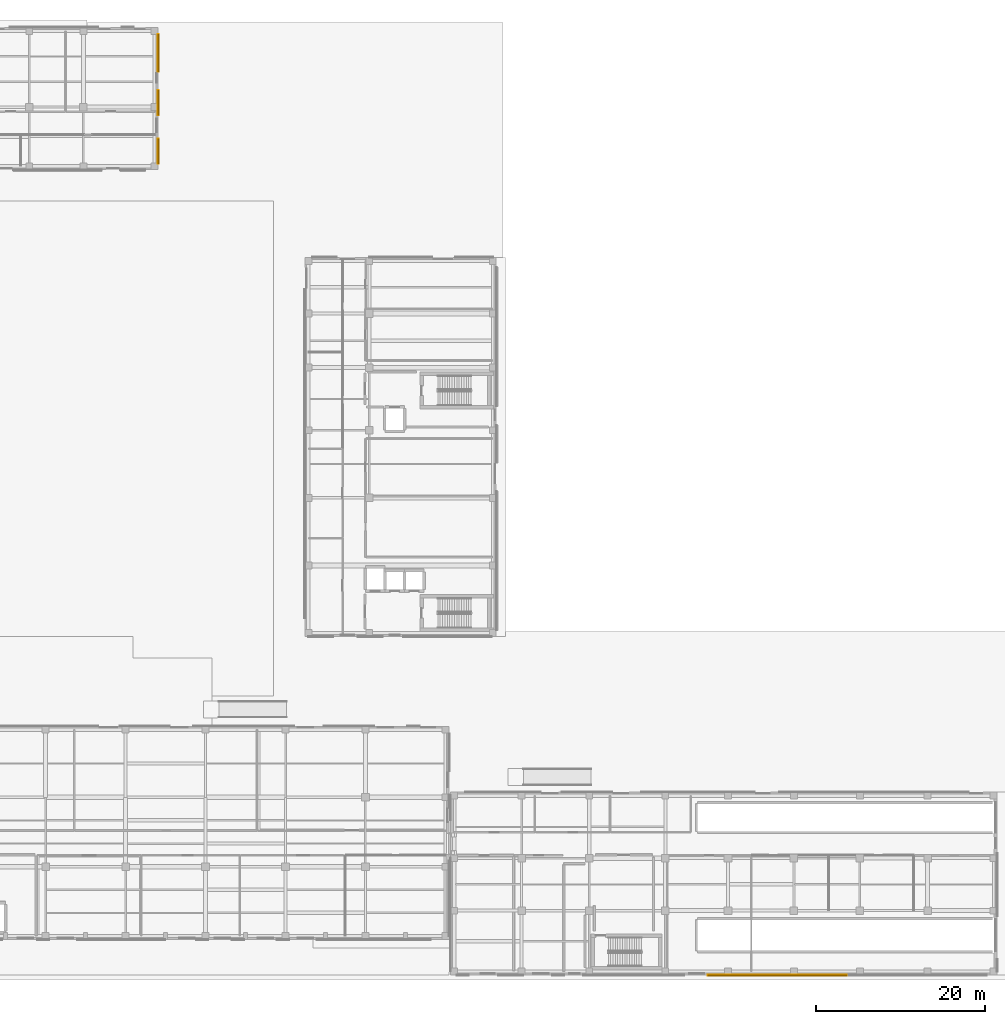
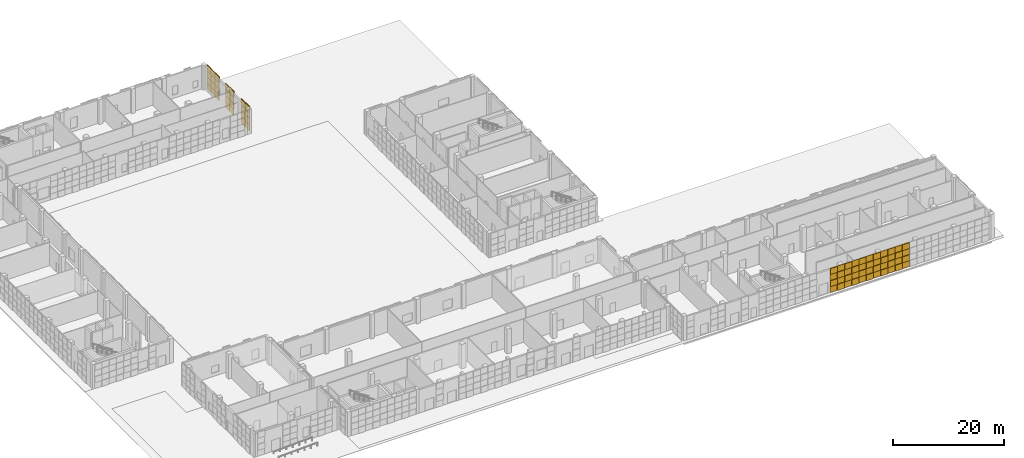
# One storey, part 38 of 40: 72 coverings.
"""IFC4 building model written with IfcOpenShell, lengths in metres."""

from ifc_helpers import new_model, si_unit, direction, frame, origin, origin_2d, place, context, subcontext, project, spatial, rectangle, extrude, material, layer, layer_set, type_object, element, save


model = new_model("IFC4")

# Units and contexts
model_context = context("Model", 3, precision=1e-05, world=origin(), true_north=direction((0.0, 1.0)))
body_context = subcontext(model_context, "Body", "Model", "MODEL_VIEW")
ifc_project = project(units=[si_unit("LENGTHUNIT", "METRE"), si_unit("AREAUNIT", "SQUARE_METRE"), si_unit("VOLUMEUNIT", "CUBIC_METRE"), si_unit("PLANEANGLEUNIT", "RADIAN"), si_unit("MASSUNIT", "GRAM", prefix="KILO")], contexts=[model_context])

# Site, building, storey
site_placement = place(None, origin())
site = spatial("IfcSite", under=ifc_project, at=site_placement, CompositionType="ELEMENT")
building_placement = place(site_placement, origin())
building = spatial("IfcBuilding", under=site, at=building_placement, Name="Qalavern Law Courts", CompositionType="ELEMENT")
storey_placement = place(building_placement, origin())
storey = spatial("IfcBuildingStorey", under=building, at=storey_placement, Name="L00", CompositionType="ELEMENT", Elevation=0.0)

# Coverings
ifc_material = material(Name="Precast concrete C40/50", Category="concrete")
ifc_layer_1 = layer(ifc_material, 0.06005859375)
ifc_layer_set_1 = layer_set([ifc_layer_1], Name="Precast concrete C40/50")
covering_type_1 = type_object("IfcCoveringType", Name="ENV-CLD-1", PredefinedType="CLADDING", material=ifc_layer_set_1)
for number, where, z_axis, x_axis, name in (
    (1, (66.8798828125, 97.635009765625, 1.385009765625), (0.0, 0.0, 1.0), (0.0, 1.0, 0.0), "Cast drop-relief street-base tile 1194"),
    (2, (66.8798828125, 99.135009765625, 0.050048828125), (0.0, 0.0, 1.0), (0.0, 1.0, 0.0), "Cast drop-relief street-base tile 1197"),
):
    element("IfcCovering", number, at=place(storey_placement, frame(where, z_axis=z_axis, x_axis=x_axis)), inside=storey, type_object=covering_type_1, Name=name, PredefinedType="CLADDING", context=body_context, shape_type="SweptSolid", body=[
        extrude(rectangle(XDim=1.449951171875, YDim=0.16796875, at=origin_2d()), origin(), (0.0, 0.0, 1.0), 1.294921875),
    ])
covering_1_placement = place(storey_placement, frame((66.837890625, 99.135009765625, 4.054931640625), z_axis=(0.0, 0.0, 1.0), x_axis=(0.0, 1.0, 0.0)))
element("IfcCovering", 3, at=covering_1_placement, inside=storey, type_object=covering_type_1, Name="Cast drop-relief street-base tile 1200", PredefinedType="CLADDING", context=body_context, shape_type="SweptSolid", body=[
    extrude(rectangle(XDim=1.449951171875, YDim=0.083984375, at=origin_2d()), origin(), (0.0, 0.0, 1.0), 1.294921875),
])
for number, where, z_axis, x_axis, name in (
    (4, (66.8798828125, 103.35009765625, 1.385009765625), (0.0, 0.0, 1.0), (0.0, 1.0, 0.0), "Cast drop-relief street-base tile 1202"),
    (5, (66.8798828125, 104.85009765625, 0.050048828125), (0.0, 0.0, 1.0), (0.0, 1.0, 0.0), "Cast drop-relief street-base tile 1205"),
):
    element("IfcCovering", number, at=place(storey_placement, frame(where, z_axis=z_axis, x_axis=x_axis)), inside=storey, type_object=covering_type_1, Name=name, PredefinedType="CLADDING", context=body_context, shape_type="SweptSolid", body=[
        extrude(rectangle(XDim=1.449951171875, YDim=0.16796875, at=origin_2d()), origin(), (0.0, 0.0, 1.0), 1.294921875),
    ])
covering_2_placement = place(storey_placement, frame((66.837890625, 104.85009765625, 4.054931640625), z_axis=(0.0, 0.0, 1.0), x_axis=(0.0, 1.0, 0.0)))
element("IfcCovering", 6, at=covering_2_placement, inside=storey, type_object=covering_type_1, Name="Cast drop-relief street-base tile 1208", PredefinedType="CLADDING", context=body_context, shape_type="SweptSolid", body=[
    extrude(rectangle(XDim=1.449951171875, YDim=0.083984375, at=origin_2d()), origin(), (0.0, 0.0, 1.0), 1.294921875),
])
for number, where, z_axis, x_axis, name in (
    (7, (66.8798828125, 108.510009765625, 1.385009765625), (0.0, 0.0, 1.0), (0.0, 1.0, 0.0), "Cast drop-relief street-base tile 1210"),
    (8, (66.8798828125, 110.010009765625, 0.050048828125), (0.0, 0.0, 1.0), (0.0, 1.0, 0.0), "Cast drop-relief street-base tile 1213"),
):
    element("IfcCovering", number, at=place(storey_placement, frame(where, z_axis=z_axis, x_axis=x_axis)), inside=storey, type_object=covering_type_1, Name=name, PredefinedType="CLADDING", context=body_context, shape_type="SweptSolid", body=[
        extrude(rectangle(XDim=1.449951171875, YDim=0.16796875, at=origin_2d()), origin(), (0.0, 0.0, 1.0), 1.294921875),
    ])
for number, where, z_axis, x_axis, name in (
    (9, (66.837890625, 110.010009765625, 4.054931640625), (0.0, 0.0, 1.0), (0.0, 1.0, 0.0), "Cast drop-relief street-base tile 1216"),
    (10, (66.837890625, 111.510009765625, 2.719970703125), (0.0, 0.0, 1.0), (0.0, 1.0, 0.0), "Cast drop-relief street-base tile 1219"),
):
    element("IfcCovering", number, at=place(storey_placement, frame(where, z_axis=z_axis, x_axis=x_axis)), inside=storey, type_object=covering_type_1, Name=name, PredefinedType="CLADDING", context=body_context, shape_type="SweptSolid", body=[
        extrude(rectangle(XDim=1.449951171875, YDim=0.083984375, at=origin_2d()), origin(), (0.0, 0.0, 1.0), 1.294921875),
    ])
for number, where, z_axis, x_axis, name in (
    (11, (132.550048828125, 0.919921875, 1.385009765625), (0.0, 0.0, 1.0), (1.0, 0.0, 0.0), "Cast drop-relief street-base tile 1422"),
    (12, (134.050048828125, 0.919921875, 0.050048828125), (0.0, 0.0, 1.0), (1.0, 0.0, 0.0), "Cast drop-relief street-base tile 1425"),
):
    element("IfcCovering", number, at=place(storey_placement, frame(where, z_axis=z_axis, x_axis=x_axis)), inside=storey, type_object=covering_type_1, Name=name, PredefinedType="CLADDING", context=body_context, shape_type="SweptSolid", body=[
        extrude(rectangle(XDim=1.449951171875, YDim=0.16796875, at=origin_2d()), origin(), (0.0, 0.0, 1.0), 1.294921875),
    ])
for number, where, z_axis, x_axis, name in (
    (13, (134.050048828125, 0.9619140625, 4.054931640625), (0.0, 0.0, 1.0), (1.0, 0.0, 0.0), "Cast drop-relief street-base tile 1428"),
    (14, (135.550048828125, 0.9619140625, 2.719970703125), (0.0, 0.0, 1.0), (1.0, 0.0, 0.0), "Cast drop-relief street-base tile 1431"),
    (15, (137.050048828125, 0.9619140625, 1.385009765625), (0.0, 0.0, 1.0), (1.0, 0.0, 0.0), "Cast drop-relief street-base tile 1434"),
    (16, (138.550048828125, 0.9619140625, 0.050048828125), (0.0, 0.0, 1.0), (1.0, 0.0, 0.0), "Cast drop-relief street-base tile 1437"),
):
    element("IfcCovering", number, at=place(storey_placement, frame(where, z_axis=z_axis, x_axis=x_axis)), inside=storey, type_object=covering_type_1, Name=name, PredefinedType="CLADDING", context=body_context, shape_type="SweptSolid", body=[
        extrude(rectangle(XDim=1.449951171875, YDim=0.083984375, at=origin_2d()), origin(), (0.0, 0.0, 1.0), 1.294921875),
    ])
for number, where, z_axis, x_axis, name in (
    (17, (138.550048828125, 0.919921875, 4.054931640625), (0.0, 0.0, 1.0), (1.0, 0.0, 0.0), "Cast drop-relief street-base tile 1440"),
    (18, (140.050048828125, 0.919921875, 2.719970703125), (0.0, 0.0, 1.0), (1.0, 0.0, 0.0), "Cast drop-relief street-base tile 1443"),
    (19, (141.550048828125, 0.919921875, 1.385009765625), (0.0, 0.0, 1.0), (1.0, 0.0, 0.0), "Cast drop-relief street-base tile 1446"),
    (20, (143.050048828125, 0.919921875, 0.050048828125), (0.0, 0.0, 1.0), (1.0, 0.0, 0.0), "Cast drop-relief street-base tile 1449"),
):
    element("IfcCovering", number, at=place(storey_placement, frame(where, z_axis=z_axis, x_axis=x_axis)), inside=storey, type_object=covering_type_1, Name=name, PredefinedType="CLADDING", context=body_context, shape_type="SweptSolid", body=[
        extrude(rectangle(XDim=1.449951171875, YDim=0.16796875, at=origin_2d()), origin(), (0.0, 0.0, 1.0), 1.294921875),
    ])
for number, where, z_axis, x_axis, name in (
    (21, (143.050048828125, 0.9619140625, 4.054931640625), (0.0, 0.0, 1.0), (1.0, 0.0, 0.0), "Cast drop-relief street-base tile 1452"),
    (22, (144.550048828125, 0.9619140625, 2.719970703125), (0.0, 0.0, 1.0), (1.0, 0.0, 0.0), "Cast drop-relief street-base tile 1455"),
    (23, (146.050048828125, 0.9619140625, 1.385009765625), (0.0, 0.0, 1.0), (1.0, 0.0, 0.0), "Cast drop-relief street-base tile 1458"),
    (24, (147.550048828125, 0.9619140625, 0.050048828125), (0.0, 0.0, 1.0), (1.0, 0.0, 0.0), "Cast drop-relief street-base tile 1461"),
):
    element("IfcCovering", number, at=place(storey_placement, frame(where, z_axis=z_axis, x_axis=x_axis)), inside=storey, type_object=covering_type_1, Name=name, PredefinedType="CLADDING", context=body_context, shape_type="SweptSolid", body=[
        extrude(rectangle(XDim=1.449951171875, YDim=0.083984375, at=origin_2d()), origin(), (0.0, 0.0, 1.0), 1.294921875),
    ])
covering_3_placement = place(storey_placement, frame((147.550048828125, 0.919921875, 4.054931640625), z_axis=(0.0, 0.0, 1.0), x_axis=(1.0, 0.0, 0.0)))
element("IfcCovering", 25, at=covering_3_placement, inside=storey, type_object=covering_type_1, Name="Cast drop-relief street-base tile 1464", PredefinedType="CLADDING", context=body_context, shape_type="SweptSolid", body=[
    extrude(rectangle(XDim=1.449951171875, YDim=0.16796875, at=origin_2d()), origin(), (0.0, 0.0, 1.0), 1.294921875),
])
ifc_layer_2 = layer(ifc_material, 0.072021484375)
ifc_layer_set_2 = layer_set([ifc_layer_2], Name="Precast concrete C40/50")
covering_type_2 = type_object("IfcCoveringType", Name="ENV-CLD-2", PredefinedType="CLADDING", material=ifc_layer_set_2)
for number, where, z_axis, x_axis, name in (
    (26, (66.837890625, 97.635009765625, 2.719970703125), (0.0, 0.0, 1.0), (0.0, 1.0, 0.0), "Cast drop-relief street-base tile 1195"),
    (27, (66.837890625, 99.135009765625, 1.385009765625), (0.0, 0.0, 1.0), (0.0, 1.0, 0.0), "Cast drop-relief street-base tile 1198"),
    (28, (66.837890625, 103.35009765625, 2.719970703125), (0.0, 0.0, 1.0), (0.0, 1.0, 0.0), "Cast drop-relief street-base tile 1203"),
    (29, (66.837890625, 104.85009765625, 1.385009765625), (0.0, 0.0, 1.0), (0.0, 1.0, 0.0), "Cast drop-relief street-base tile 1206"),
    (30, (66.837890625, 108.510009765625, 2.719970703125), (0.0, 0.0, 1.0), (0.0, 1.0, 0.0), "Cast drop-relief street-base tile 1211"),
    (31, (66.837890625, 110.010009765625, 1.385009765625), (0.0, 0.0, 1.0), (0.0, 1.0, 0.0), "Cast drop-relief street-base tile 1214"),
    (32, (66.837890625, 111.510009765625, 0.050048828125), (0.0, 0.0, 1.0), (0.0, 1.0, 0.0), "Cast drop-relief street-base tile 1217"),
):
    element("IfcCovering", number, at=place(storey_placement, frame(where, z_axis=z_axis, x_axis=x_axis)), inside=storey, type_object=covering_type_2, Name=name, PredefinedType="CLADDING", context=body_context, shape_type="SweptSolid", body=[
        extrude(rectangle(XDim=1.449951171875, YDim=0.083984375, at=origin_2d()), origin(), (0.0, 0.0, 1.0), 1.294921875),
    ])
covering_4_placement = place(storey_placement, frame((66.8798828125, 111.510009765625, 4.054931640625), z_axis=(0.0, 0.0, 1.0), x_axis=(0.0, 1.0, 0.0)))
element("IfcCovering", 33, at=covering_4_placement, inside=storey, type_object=covering_type_2, Name="Cast drop-relief street-base tile 1220", PredefinedType="CLADDING", context=body_context, shape_type="SweptSolid", body=[
    extrude(rectangle(XDim=1.449951171875, YDim=0.16796875, at=origin_2d()), origin(), (0.0, 0.0, 1.0), 1.294921875),
])
for number, where, z_axis, x_axis, name in (
    (34, (132.550048828125, 0.9619140625, 2.719970703125), (0.0, 0.0, 1.0), (1.0, 0.0, 0.0), "Cast drop-relief street-base tile 1423"),
    (35, (134.050048828125, 0.9619140625, 1.385009765625), (0.0, 0.0, 1.0), (1.0, 0.0, 0.0), "Cast drop-relief street-base tile 1426"),
    (36, (135.550048828125, 0.9619140625, 0.050048828125), (0.0, 0.0, 1.0), (1.0, 0.0, 0.0), "Cast drop-relief street-base tile 1429"),
):
    element("IfcCovering", number, at=place(storey_placement, frame(where, z_axis=z_axis, x_axis=x_axis)), inside=storey, type_object=covering_type_2, Name=name, PredefinedType="CLADDING", context=body_context, shape_type="SweptSolid", body=[
        extrude(rectangle(XDim=1.449951171875, YDim=0.083984375, at=origin_2d()), origin(), (0.0, 0.0, 1.0), 1.294921875),
    ])
for number, where, z_axis, x_axis, name in (
    (37, (135.550048828125, 0.919921875, 4.054931640625), (0.0, 0.0, 1.0), (1.0, 0.0, 0.0), "Cast drop-relief street-base tile 1432"),
    (38, (137.050048828125, 0.919921875, 2.719970703125), (0.0, 0.0, 1.0), (1.0, 0.0, 0.0), "Cast drop-relief street-base tile 1435"),
    (39, (138.550048828125, 0.919921875, 1.385009765625), (0.0, 0.0, 1.0), (1.0, 0.0, 0.0), "Cast drop-relief street-base tile 1438"),
    (40, (140.050048828125, 0.919921875, 0.050048828125), (0.0, 0.0, 1.0), (1.0, 0.0, 0.0), "Cast drop-relief street-base tile 1441"),
):
    element("IfcCovering", number, at=place(storey_placement, frame(where, z_axis=z_axis, x_axis=x_axis)), inside=storey, type_object=covering_type_2, Name=name, PredefinedType="CLADDING", context=body_context, shape_type="SweptSolid", body=[
        extrude(rectangle(XDim=1.449951171875, YDim=0.16796875, at=origin_2d()), origin(), (0.0, 0.0, 1.0), 1.294921875),
    ])
for number, where, z_axis, x_axis, name in (
    (41, (140.050048828125, 0.9619140625, 4.054931640625), (0.0, 0.0, 1.0), (1.0, 0.0, 0.0), "Cast drop-relief street-base tile 1444"),
    (42, (141.550048828125, 0.9619140625, 2.719970703125), (0.0, 0.0, 1.0), (1.0, 0.0, 0.0), "Cast drop-relief street-base tile 1447"),
    (43, (143.050048828125, 0.9619140625, 1.385009765625), (0.0, 0.0, 1.0), (1.0, 0.0, 0.0), "Cast drop-relief street-base tile 1450"),
    (44, (144.550048828125, 0.9619140625, 0.050048828125), (0.0, 0.0, 1.0), (1.0, 0.0, 0.0), "Cast drop-relief street-base tile 1453"),
):
    element("IfcCovering", number, at=place(storey_placement, frame(where, z_axis=z_axis, x_axis=x_axis)), inside=storey, type_object=covering_type_2, Name=name, PredefinedType="CLADDING", context=body_context, shape_type="SweptSolid", body=[
        extrude(rectangle(XDim=1.449951171875, YDim=0.083984375, at=origin_2d()), origin(), (0.0, 0.0, 1.0), 1.294921875),
    ])
for number, where, z_axis, x_axis, name in (
    (45, (144.550048828125, 0.919921875, 4.054931640625), (0.0, 0.0, 1.0), (1.0, 0.0, 0.0), "Cast drop-relief street-base tile 1456"),
    (46, (146.050048828125, 0.919921875, 2.719970703125), (0.0, 0.0, 1.0), (1.0, 0.0, 0.0), "Cast drop-relief street-base tile 1459"),
    (47, (147.550048828125, 0.919921875, 1.385009765625), (0.0, 0.0, 1.0), (1.0, 0.0, 0.0), "Cast drop-relief street-base tile 1462"),
):
    element("IfcCovering", number, at=place(storey_placement, frame(where, z_axis=z_axis, x_axis=x_axis)), inside=storey, type_object=covering_type_2, Name=name, PredefinedType="CLADDING", context=body_context, shape_type="SweptSolid", body=[
        extrude(rectangle(XDim=1.449951171875, YDim=0.16796875, at=origin_2d()), origin(), (0.0, 0.0, 1.0), 1.294921875),
    ])
ifc_layer_3 = layer(ifc_material, 0.083984375)
ifc_layer_set_3 = layer_set([ifc_layer_3], Name="Precast concrete C40/50")
covering_type_3 = type_object("IfcCoveringType", Name="ENV-CLD-3", PredefinedType="CLADDING", material=ifc_layer_set_3)
covering_5_placement = place(storey_placement, frame((66.837890625, 97.635009765625, 0.050048828125), z_axis=(0.0, 0.0, 1.0), x_axis=(0.0, 1.0, 0.0)))
element("IfcCovering", 48, at=covering_5_placement, inside=storey, type_object=covering_type_3, Name="Cast drop-relief street-base tile 1193", PredefinedType="CLADDING", context=body_context, shape_type="SweptSolid", body=[
    extrude(rectangle(XDim=1.449951171875, YDim=0.083984375, at=origin_2d()), origin(), (0.0, 0.0, 1.0), 1.294921875),
])
for number, where, z_axis, x_axis, name in (
    (49, (66.8798828125, 97.635009765625, 4.054931640625), (0.0, 0.0, 1.0), (0.0, 1.0, 0.0), "Cast drop-relief street-base tile 1196"),
    (50, (66.8798828125, 99.135009765625, 2.719970703125), (0.0, 0.0, 1.0), (0.0, 1.0, 0.0), "Cast drop-relief street-base tile 1199"),
):
    element("IfcCovering", number, at=place(storey_placement, frame(where, z_axis=z_axis, x_axis=x_axis)), inside=storey, type_object=covering_type_3, Name=name, PredefinedType="CLADDING", context=body_context, shape_type="SweptSolid", body=[
        extrude(rectangle(XDim=1.449951171875, YDim=0.16796875, at=origin_2d()), origin(), (0.0, 0.0, 1.0), 1.294921875),
    ])
covering_6_placement = place(storey_placement, frame((66.837890625, 103.35009765625, 0.050048828125), z_axis=(0.0, 0.0, 1.0), x_axis=(0.0, 1.0, 0.0)))
element("IfcCovering", 51, at=covering_6_placement, inside=storey, type_object=covering_type_3, Name="Cast drop-relief street-base tile 1201", PredefinedType="CLADDING", context=body_context, shape_type="SweptSolid", body=[
    extrude(rectangle(XDim=1.449951171875, YDim=0.083984375, at=origin_2d()), origin(), (0.0, 0.0, 1.0), 1.294921875),
])
for number, where, z_axis, x_axis, name in (
    (52, (66.8798828125, 103.35009765625, 4.054931640625), (0.0, 0.0, 1.0), (0.0, 1.0, 0.0), "Cast drop-relief street-base tile 1204"),
    (53, (66.8798828125, 104.85009765625, 2.719970703125), (0.0, 0.0, 1.0), (0.0, 1.0, 0.0), "Cast drop-relief street-base tile 1207"),
):
    element("IfcCovering", number, at=place(storey_placement, frame(where, z_axis=z_axis, x_axis=x_axis)), inside=storey, type_object=covering_type_3, Name=name, PredefinedType="CLADDING", context=body_context, shape_type="SweptSolid", body=[
        extrude(rectangle(XDim=1.449951171875, YDim=0.16796875, at=origin_2d()), origin(), (0.0, 0.0, 1.0), 1.294921875),
    ])
covering_7_placement = place(storey_placement, frame((66.837890625, 108.510009765625, 0.050048828125), z_axis=(0.0, 0.0, 1.0), x_axis=(0.0, 1.0, 0.0)))
element("IfcCovering", 54, at=covering_7_placement, inside=storey, type_object=covering_type_3, Name="Cast drop-relief street-base tile 1209", PredefinedType="CLADDING", context=body_context, shape_type="SweptSolid", body=[
    extrude(rectangle(XDim=1.449951171875, YDim=0.083984375, at=origin_2d()), origin(), (0.0, 0.0, 1.0), 1.294921875),
])
for number, where, z_axis, x_axis, name in (
    (55, (66.8798828125, 108.510009765625, 4.054931640625), (0.0, 0.0, 1.0), (0.0, 1.0, 0.0), "Cast drop-relief street-base tile 1212"),
    (56, (66.8798828125, 110.010009765625, 2.719970703125), (0.0, 0.0, 1.0), (0.0, 1.0, 0.0), "Cast drop-relief street-base tile 1215"),
    (57, (66.8798828125, 111.510009765625, 1.385009765625), (0.0, 0.0, 1.0), (0.0, 1.0, 0.0), "Cast drop-relief street-base tile 1218"),
):
    element("IfcCovering", number, at=place(storey_placement, frame(where, z_axis=z_axis, x_axis=x_axis)), inside=storey, type_object=covering_type_3, Name=name, PredefinedType="CLADDING", context=body_context, shape_type="SweptSolid", body=[
        extrude(rectangle(XDim=1.449951171875, YDim=0.16796875, at=origin_2d()), origin(), (0.0, 0.0, 1.0), 1.294921875),
    ])
covering_8_placement = place(storey_placement, frame((132.550048828125, 0.9619140625, 0.050048828125), z_axis=(0.0, 0.0, 1.0), x_axis=(1.0, 0.0, 0.0)))
element("IfcCovering", 58, at=covering_8_placement, inside=storey, type_object=covering_type_3, Name="Cast drop-relief street-base tile 1421", PredefinedType="CLADDING", context=body_context, shape_type="SweptSolid", body=[
    extrude(rectangle(XDim=1.449951171875, YDim=0.083984375, at=origin_2d()), origin(), (0.0, 0.0, 1.0), 1.294921875),
])
for number, where, z_axis, x_axis, name in (
    (59, (132.550048828125, 0.919921875, 4.054931640625), (0.0, 0.0, 1.0), (1.0, 0.0, 0.0), "Cast drop-relief street-base tile 1424"),
    (60, (134.050048828125, 0.919921875, 2.719970703125), (0.0, 0.0, 1.0), (1.0, 0.0, 0.0), "Cast drop-relief street-base tile 1427"),
    (61, (135.550048828125, 0.919921875, 1.385009765625), (0.0, 0.0, 1.0), (1.0, 0.0, 0.0), "Cast drop-relief street-base tile 1430"),
    (62, (137.050048828125, 0.919921875, 0.050048828125), (0.0, 0.0, 1.0), (1.0, 0.0, 0.0), "Cast drop-relief street-base tile 1433"),
):
    element("IfcCovering", number, at=place(storey_placement, frame(where, z_axis=z_axis, x_axis=x_axis)), inside=storey, type_object=covering_type_3, Name=name, PredefinedType="CLADDING", context=body_context, shape_type="SweptSolid", body=[
        extrude(rectangle(XDim=1.449951171875, YDim=0.16796875, at=origin_2d()), origin(), (0.0, 0.0, 1.0), 1.294921875),
    ])
for number, where, z_axis, x_axis, name in (
    (63, (137.050048828125, 0.9619140625, 4.054931640625), (0.0, 0.0, 1.0), (1.0, 0.0, 0.0), "Cast drop-relief street-base tile 1436"),
    (64, (138.550048828125, 0.9619140625, 2.719970703125), (0.0, 0.0, 1.0), (1.0, 0.0, 0.0), "Cast drop-relief street-base tile 1439"),
    (65, (140.050048828125, 0.9619140625, 1.385009765625), (0.0, 0.0, 1.0), (1.0, 0.0, 0.0), "Cast drop-relief street-base tile 1442"),
    (66, (141.550048828125, 0.9619140625, 0.050048828125), (0.0, 0.0, 1.0), (1.0, 0.0, 0.0), "Cast drop-relief street-base tile 1445"),
):
    element("IfcCovering", number, at=place(storey_placement, frame(where, z_axis=z_axis, x_axis=x_axis)), inside=storey, type_object=covering_type_3, Name=name, PredefinedType="CLADDING", context=body_context, shape_type="SweptSolid", body=[
        extrude(rectangle(XDim=1.449951171875, YDim=0.083984375, at=origin_2d()), origin(), (0.0, 0.0, 1.0), 1.294921875),
    ])
for number, where, z_axis, x_axis, name in (
    (67, (141.550048828125, 0.919921875, 4.054931640625), (0.0, 0.0, 1.0), (1.0, 0.0, 0.0), "Cast drop-relief street-base tile 1448"),
    (68, (143.050048828125, 0.919921875, 2.719970703125), (0.0, 0.0, 1.0), (1.0, 0.0, 0.0), "Cast drop-relief street-base tile 1451"),
    (69, (144.550048828125, 0.919921875, 1.385009765625), (0.0, 0.0, 1.0), (1.0, 0.0, 0.0), "Cast drop-relief street-base tile 1454"),
    (70, (146.050048828125, 0.919921875, 0.050048828125), (0.0, 0.0, 1.0), (1.0, 0.0, 0.0), "Cast drop-relief street-base tile 1457"),
):
    element("IfcCovering", number, at=place(storey_placement, frame(where, z_axis=z_axis, x_axis=x_axis)), inside=storey, type_object=covering_type_3, Name=name, PredefinedType="CLADDING", context=body_context, shape_type="SweptSolid", body=[
        extrude(rectangle(XDim=1.449951171875, YDim=0.16796875, at=origin_2d()), origin(), (0.0, 0.0, 1.0), 1.294921875),
    ])
for number, where, z_axis, x_axis, name in (
    (71, (146.050048828125, 0.9619140625, 4.054931640625), (0.0, 0.0, 1.0), (1.0, 0.0, 0.0), "Cast drop-relief street-base tile 1460"),
    (72, (147.550048828125, 0.9619140625, 2.719970703125), (0.0, 0.0, 1.0), (1.0, 0.0, 0.0), "Cast drop-relief street-base tile 1463"),
):
    element("IfcCovering", number, at=place(storey_placement, frame(where, z_axis=z_axis, x_axis=x_axis)), inside=storey, type_object=covering_type_3, Name=name, PredefinedType="CLADDING", context=body_context, shape_type="SweptSolid", body=[
        extrude(rectangle(XDim=1.449951171875, YDim=0.083984375, at=origin_2d()), origin(), (0.0, 0.0, 1.0), 1.294921875),
    ])

save(model, "model.ifc")
